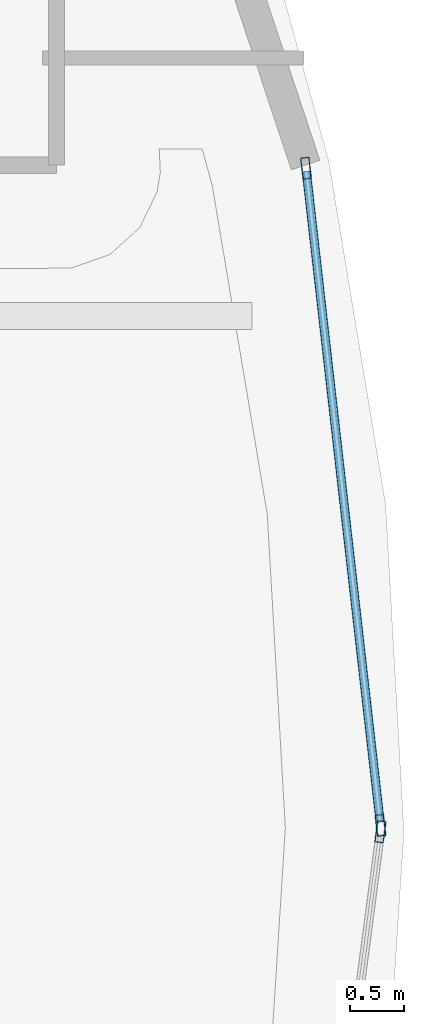
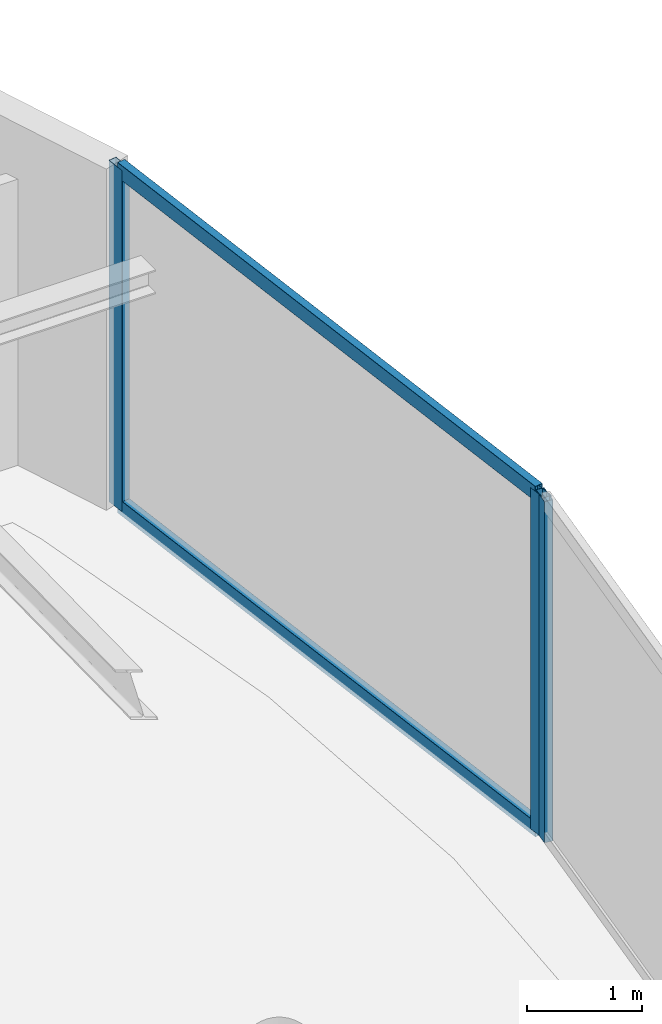
# One storey, part 9 of 20: 5 members, 2 elements without a shape of their own.
"""IFC4 building model written with IfcOpenShell, lengths in metres."""

from ifc_helpers import new_model, si_unit, direction, frame, origin, origin_2d, place, context, subcontext, project, spatial, hollow_rectangle, extrude, material, layer, layer_set, material_profile, profile_set, type_object, element, aggregate, save


model = new_model("IFC4")

# Units and contexts
model_context = context("Model", 3, precision=1e-05, world=origin(), true_north=direction((0.0, 1.0)))
body_context = subcontext(model_context, "Body", "Model", "MODEL_VIEW")
ifc_project = project(units=[si_unit("LENGTHUNIT", "METRE"), si_unit("AREAUNIT", "SQUARE_METRE"), si_unit("VOLUMEUNIT", "CUBIC_METRE"), si_unit("PLANEANGLEUNIT", "RADIAN"), si_unit("MASSUNIT", "GRAM", prefix="KILO")], contexts=[model_context])

# Site, building, storey
site_placement = place(None, origin())
site = spatial("IfcSite", under=ifc_project, at=site_placement, CompositionType="ELEMENT")
building_placement = place(site_placement, origin())
building = spatial("IfcBuilding", under=site, at=building_placement, Name="Bramvorn Convention Spire", CompositionType="ELEMENT")
storey_placement = place(building_placement, frame((0.0, 0.0, 178.89990234375)))
storey = spatial("IfcBuildingStorey", under=building, at=storey_placement, Name="L45", CompositionType="ELEMENT", Elevation=178.89990234375)

# Curtain wall, member
ifc_material_1 = material(Name="Anodised Bronze Unitised Curtain Wall", Category="aluminium")
ifc_layer = layer(ifc_material_1, 0.179931640625)
ifc_layer_set = layer_set([ifc_layer], Name="Anodised Bronze Unitised Curtain Wall - CW-OFF-FRIT")
curtain_wall_type = type_object("IfcCurtainWallType", Name="CW-OFF-FRIT", PredefinedType="USERDEFINED", material=ifc_layer_set)
curtain_wall_1_placement = place(storey_placement, origin())
curtain_wall_1 = element("IfcCurtainWall", 1, at=curtain_wall_1_placement, inside=storey, type_object=curtain_wall_type, Name="L45 fritted glass curtain wall 02", ObjectType="UNITISED CURTAIN WALL", PredefinedType="USERDEFINED")
ifc_material_2 = material(Name="Anodised Bronze Aluminium 6063-T6", Category="aluminium")
ifc_material_profile_1 = material_profile(ifc_material_2, hollow_rectangle(XDim=0.080078125, YDim=0.199951171875, WallThickness=0.00390625, InnerFilletRadius=0.0009765625, OuterFilletRadius=0.00390625, at=origin_2d()))
ifc_profile_set_1 = profile_set([ifc_material_profile_1], Name="Anodised Bronze Aluminium 6063-T6 - CWM80X200")
member_type_1 = type_object("IfcMemberType", Name="CW-MUL-180", PredefinedType="MULLION", material=ifc_profile_set_1)
member_1_placement = place(storey_placement, frame((63.351318359375, 18.78515625, 0.0), z_axis=(0.0, 0.0, 1.0), x_axis=(0.991453859536, -0.13045782618, 0.0)))
member_1 = element("IfcMember", 2, at=member_1_placement, type_object=member_type_1, Name="CW3 mullion 1", PredefinedType="MULLION", context=body_context, shape_type="SweptSolid", body=[
    extrude(hollow_rectangle(XDim=0.080078125, YDim=0.199951171875, WallThickness=0.00390625, InnerFilletRadius=0.0009765625, OuterFilletRadius=0.00390625, at=origin_2d()), origin(), (0.0, 0.0, 1.0), 3.6201171875),
])
aggregate(curtain_wall_1, [member_1])

# Curtain wall, members
curtain_wall_2_placement = place(storey_placement, origin())
curtain_wall_2 = element("IfcCurtainWall", 3, at=curtain_wall_2_placement, inside=storey, type_object=curtain_wall_type, Name="L45 fritted glass curtain wall 03", ObjectType="UNITISED CURTAIN WALL", PredefinedType="USERDEFINED")
member_2_placement = place(storey_placement, frame((62.656982421875, 24.971923828125, 0.0), z_axis=(0.0, 0.0, 1.0), x_axis=(0.993627471528, 0.112714008999, 0.0)))
member_2 = element("IfcMember", 4, at=member_2_placement, type_object=member_type_1, Name="CW3 mullion 1", PredefinedType="MULLION", context=body_context, shape_type="SweptSolid", body=[
    extrude(hollow_rectangle(XDim=0.080078125, YDim=0.199951171875, WallThickness=0.00390625, InnerFilletRadius=0.0009765625, OuterFilletRadius=0.00390625, at=origin_2d()), origin(), (0.0, 0.0, 1.0), 3.6201171875),
])
member_3_placement = place(storey_placement, frame((63.351806640625, 18.8447265625, 0.0), z_axis=(0.0, 0.0, 1.0), x_axis=(0.993627471528, 0.112714008999, 0.0)))
member_3 = element("IfcMember", 5, at=member_3_placement, type_object=member_type_1, Name="CW3 mullion 2", PredefinedType="MULLION", context=body_context, shape_type="SweptSolid", body=[
    extrude(hollow_rectangle(XDim=0.080078125, YDim=0.199951171875, WallThickness=0.00390625, InnerFilletRadius=0.0009765625, OuterFilletRadius=0.00390625, at=origin_2d()), origin(), (0.0, 0.0, 1.0), 3.6201171875),
])
ifc_material_profile_2 = material_profile(ifc_material_2, hollow_rectangle(XDim=0.080078125, YDim=0.159912109375, WallThickness=0.00390625, InnerFilletRadius=0.0009765625, OuterFilletRadius=0.00390625, at=origin_2d()))
ifc_profile_set_2 = profile_set([ifc_material_profile_2], Name="Anodised Bronze Aluminium 6063-T6 - CWT80X160")
member_type_2 = type_object("IfcMemberType", Name="CW-TRN-150", PredefinedType="USERDEFINED", material=ifc_profile_set_2)
member_4_placement = place(storey_placement, frame((62.66015625, 24.942138671875, 0.030029296875), z_axis=(0.112743731559, -0.993624099443, 0.0), x_axis=(0.993624099443, 0.112743731559, 0.0)))
member_4 = element("IfcMember", 6, at=member_4_placement, type_object=member_type_2, Name="CW3 transom 1.1", ObjectType="TRANSOM", PredefinedType="USERDEFINED", context=body_context, shape_type="SweptSolid", body=[
    extrude(hollow_rectangle(XDim=0.080078125, YDim=0.159912109375, WallThickness=0.00390625, InnerFilletRadius=0.0009765625, OuterFilletRadius=0.00390625, at=origin_2d()), origin(), (0.0, 0.0, 1.0), 6.1064453125),
])
member_5_placement = place(storey_placement, frame((62.66015625, 24.942138671875, 3.590087890625), z_axis=(0.112743731559, -0.993624099443, 0.0), x_axis=(0.993624099443, 0.112743731559, 0.0)))
member_5 = element("IfcMember", 7, at=member_5_placement, type_object=member_type_2, Name="CW3 transom 1.2", ObjectType="TRANSOM", PredefinedType="USERDEFINED", context=body_context, shape_type="SweptSolid", body=[
    extrude(hollow_rectangle(XDim=0.080078125, YDim=0.159912109375, WallThickness=0.00390625, InnerFilletRadius=0.0009765625, OuterFilletRadius=0.00390625, at=origin_2d()), origin(), (0.0, 0.0, 1.0), 6.1064453125),
])
aggregate(curtain_wall_2, [member_2, member_3, member_4, member_5])

save(model, "model.ifc")
